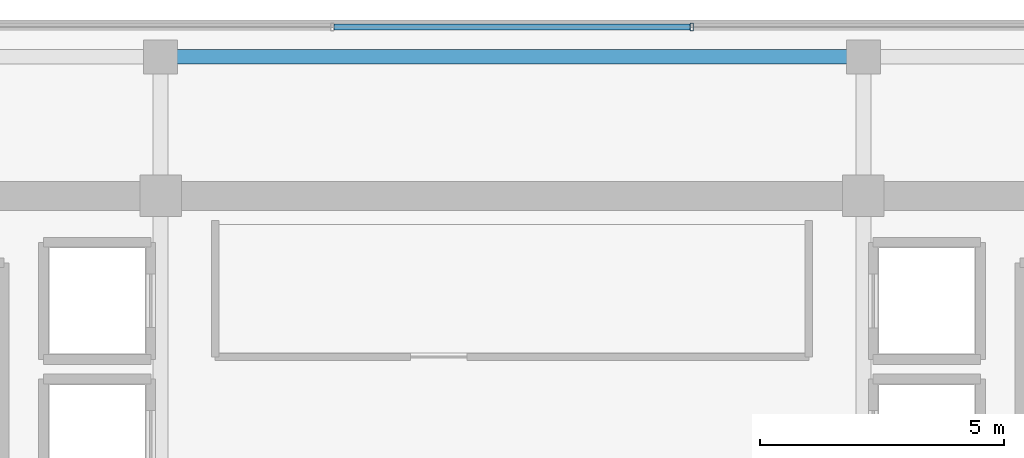
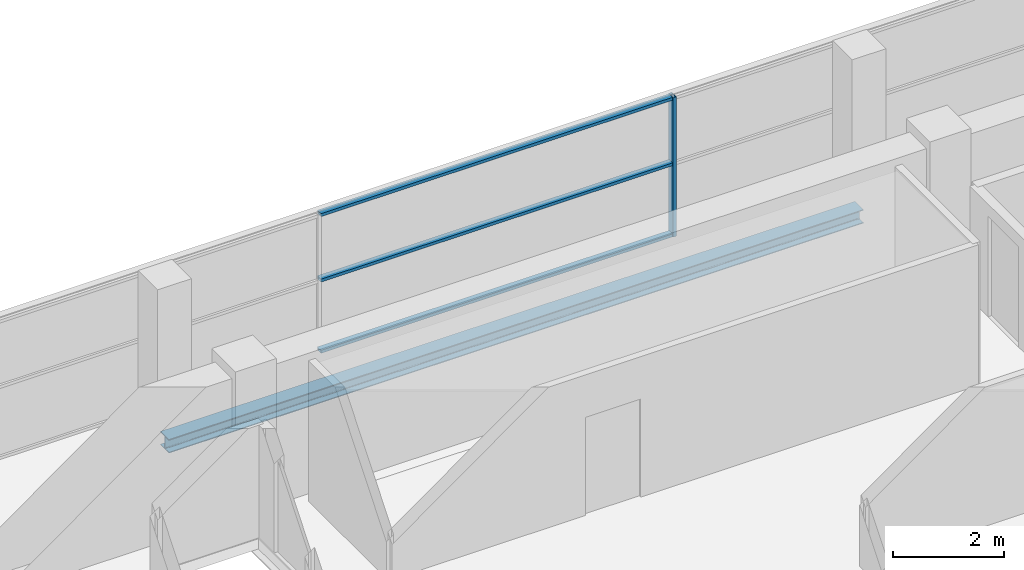
# One storey, part 18 of 28: 4 members, 1 beam, 1 element without a shape of its own.
"""IFC4 building model written with IfcOpenShell, lengths in metres."""

from ifc_helpers import new_model, si_unit, direction, frame, origin, origin_2d, place, context, subcontext, project, spatial, hollow_rectangle, i_section, extrude, source, transform, mapped, material, layer, layer_set, material_profile, profile_set, type_object, element, aggregate, save


model = new_model("IFC4")

# Units and contexts
model_context = context("Model", 3, precision=1e-05, world=origin(), true_north=direction((0.0, 1.0)))
body_context = subcontext(model_context, "Body", "Model", "MODEL_VIEW")
ifc_project = project(units=[si_unit("LENGTHUNIT", "METRE"), si_unit("AREAUNIT", "SQUARE_METRE"), si_unit("VOLUMEUNIT", "CUBIC_METRE"), si_unit("PLANEANGLEUNIT", "RADIAN"), si_unit("MASSUNIT", "GRAM", prefix="KILO")], contexts=[model_context])

# Site, building, storey
site_placement = place(None, origin())
site = spatial("IfcSite", under=ifc_project, at=site_placement, CompositionType="ELEMENT")
building_placement = place(site_placement, origin())
building = spatial("IfcBuilding", under=site, at=building_placement, Name="Zarnakvel Exchange Tower", CompositionType="ELEMENT")
storey_placement = place(building_placement, frame((0.0, 0.0, 268.300048828125)))
storey = spatial("IfcBuildingStorey", under=building, at=storey_placement, Name="L76", CompositionType="ELEMENT", Elevation=268.300048828125)

# Beam
ifc_material_1 = material(Name="Steel S355", Category="steel")
ifc_material_profile_1 = material_profile(ifc_material_1, i_section(OverallWidth=0.300048828125, OverallDepth=0.300048828125, WebThickness=0.010986328125, FlangeThickness=0.01904296875, FilletRadius=0.027099609375, at=origin_2d()))
ifc_profile_set_1 = profile_set([ifc_material_profile_1], Name="Steel S355")
beam_type = type_object("IfcBeamType", Name="SP-03", PredefinedType="SPANDREL", material=ifc_profile_set_1)
beam_placement = place(storey_placement, frame((-7.199951171875, 16.35009765625, -0.375), z_axis=(1.0, 0.0, 0.0), x_axis=(0.0, 1.0, 0.0)))
element("IfcBeam", 1, at=beam_placement, inside=storey, type_object=beam_type, Name="L76 Tower E-W Frame Beam", PredefinedType="SPANDREL", context=body_context, shape_type="SweptSolid", body=[
    extrude(i_section(OverallWidth=0.300048828125, OverallDepth=0.300048828125, WebThickness=0.010986328125, FlangeThickness=0.01904296875, FilletRadius=0.027099609375, at=origin_2d()), origin(), (0.0, 0.0, 1.0), 14.39990234375),
])

# Curtain wall, members
ifc_material_2 = material(Name="Architectural Bronze Anodised Aluminium", Category="aluminium")
ifc_layer = layer(ifc_material_2, 0.159912109375)
ifc_layer_set = layer_set([ifc_layer], Name="Architectural Bronze Anodised Aluminium")
curtain_wall_type = type_object("IfcCurtainWallType", Name="CW-06", PredefinedType="NOTDEFINED", material=ifc_layer_set)
curtain_wall_placement = place(storey_placement, origin())
curtain_wall = element("IfcCurtainWall", 2, at=curtain_wall_placement, inside=storey, type_object=curtain_wall_type, Name="L76 Curtain Wall CW-L76-N1 (CW-06)", PredefinedType="NOTDEFINED")
ifc_material_profile_2 = material_profile(ifc_material_2, hollow_rectangle(XDim=0.1298828125, YDim=0.06494140625, WallThickness=0.00390625, at=origin_2d()))
ifc_profile_set_2 = profile_set([ifc_material_profile_2], Name="Architectural Bronze Anodised Aluminium")
member_type_1 = type_object("IfcMemberType", Name="CWT-06", PredefinedType="USERDEFINED", material=ifc_profile_set_2)
shared_shape_1 = source(origin(), body_context, "Body", "SweptSolid", [
    extrude(hollow_rectangle(XDim=0.1298828125, YDim=0.06494140625, WallThickness=0.00390625, at=origin_2d()), origin(), (0.0, 0.0, 1.0), 7.294921875),
])
member_1_placement = place(storey_placement, frame((-3.6474609375, 16.9599609375, 0.032470703125), z_axis=(1.0, 0.0, 0.0), x_axis=(0.0, 1.0, 0.0)))
member_1 = element("IfcMember", 3, at=member_1_placement, type_object=member_type_1, Name="CW-06 transom 3.1", ObjectType="TRANSOM", PredefinedType="USERDEFINED", context=body_context, shape_type="MappedRepresentation", body=[
    mapped(shared_shape_1, transform((0.0, 0.0, 0.0), x_axis=(1.0, 0.0, 0.0), y_axis=(0.0, 1.0, 0.0), z_axis=(0.0, 0.0, 1.0), scale=1.0)),
])
member_2_placement = place(storey_placement, frame((-3.6474609375, 16.9599609375, 1.591064453125), z_axis=(1.0, 0.0, 0.0), x_axis=(0.0, 1.0, 0.0)))
member_2 = element("IfcMember", 4, at=member_2_placement, type_object=member_type_1, Name="CW-06 transom 3.2", ObjectType="TRANSOM", PredefinedType="USERDEFINED", context=body_context, shape_type="MappedRepresentation", body=[
    mapped(shared_shape_1, transform((0.0, 0.0, 0.0), x_axis=(1.0, 0.0, 0.0), y_axis=(0.0, 1.0, 0.0), z_axis=(0.0, 0.0, 1.0), scale=1.0)),
])
member_3_placement = place(storey_placement, frame((-3.6474609375, 16.9599609375, 3.02734375), z_axis=(1.0, 0.0, 0.0), x_axis=(0.0, 1.0, 0.0)))
member_3 = element("IfcMember", 5, at=member_3_placement, type_object=member_type_1, Name="CW-06 transom 3.3", ObjectType="TRANSOM", PredefinedType="USERDEFINED", context=body_context, shape_type="MappedRepresentation", body=[
    mapped(shared_shape_1, transform((0.0, 0.0, 0.0), x_axis=(1.0, 0.0, 0.0), y_axis=(0.0, 1.0, 0.0), z_axis=(0.0, 0.0, 1.0), scale=1.0)),
])
ifc_material_profile_3 = material_profile(ifc_material_2, hollow_rectangle(XDim=0.159912109375, YDim=0.06494140625, WallThickness=0.00390625, at=origin_2d()))
ifc_profile_set_3 = profile_set([ifc_material_profile_3], Name="Architectural Bronze Anodised Aluminium")
member_type_2 = type_object("IfcMemberType", Name="CWM-06", PredefinedType="MULLION", material=ifc_profile_set_3)
shared_shape_2 = source(origin(), body_context, "Body", "SweptSolid", [
    extrude(hollow_rectangle(XDim=0.159912109375, YDim=0.06494140625, WallThickness=0.00390625, at=origin_2d()), origin(), (0.0, 0.0, 1.0), 3.06005859375),
])
member_4_placement = place(storey_placement, frame((3.679931640625, 16.9599609375, 0.0), z_axis=(0.0, 0.0, 1.0), x_axis=(0.0, 1.0, 0.0)))
member_4 = element("IfcMember", 6, at=member_4_placement, type_object=member_type_2, Name="CW-06 mullion 4", PredefinedType="MULLION", context=body_context, shape_type="MappedRepresentation", body=[
    mapped(shared_shape_2, transform((0.0, 0.0, 0.0), x_axis=(1.0, 0.0, 0.0), y_axis=(0.0, 1.0, 0.0), z_axis=(0.0, 0.0, 1.0), scale=1.0)),
])
aggregate(curtain_wall, [member_4, member_1, member_2, member_3])

save(model, "model.ifc")
